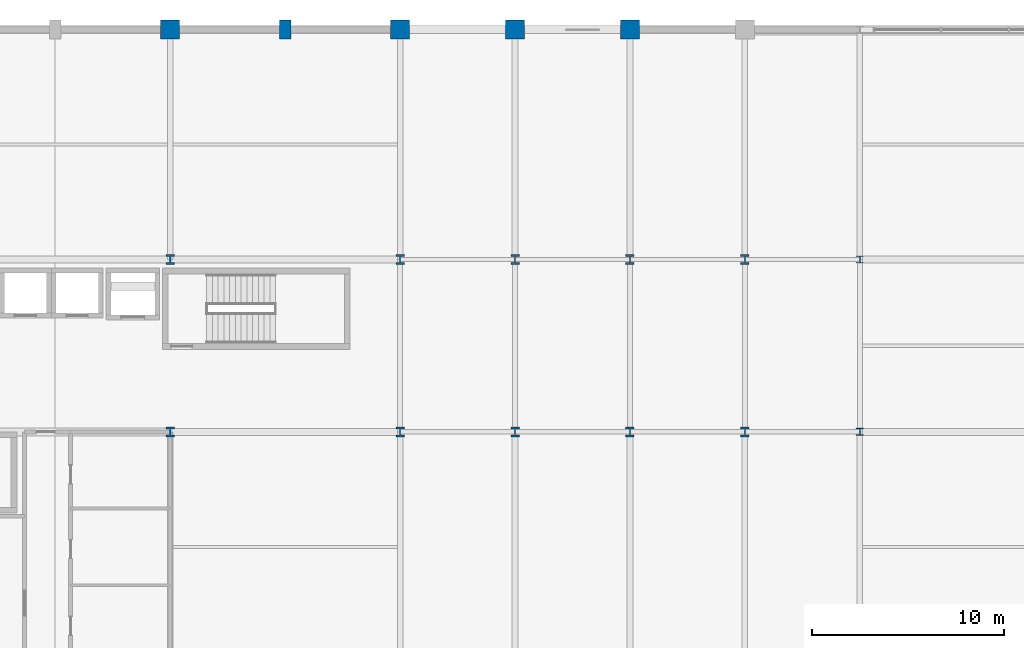
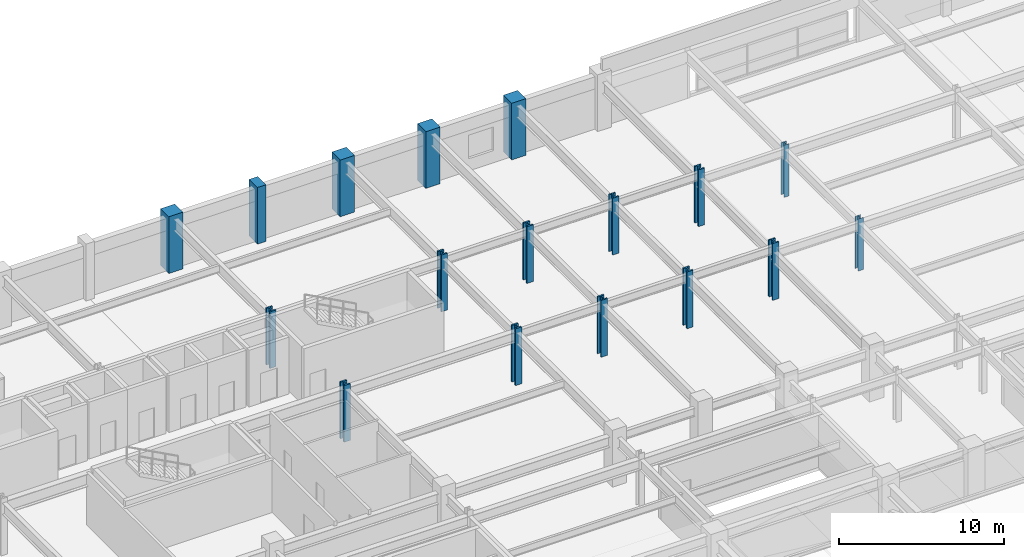
# One storey, part 13 of 108: 17 columns.
"""IFC4 building model written with IfcOpenShell, lengths in metres."""

from ifc_helpers import new_model, si_unit, direction, frame, origin, origin_2d, place, context, subcontext, project, spatial, rectangle, i_section, extrude, material, material_profile, profile_set, type_object, element, save


model = new_model("IFC4")

# Units and contexts
model_context = context("Model", 3, precision=1e-05, world=origin(), true_north=direction((0.0, 1.0)))
body_context = subcontext(model_context, "Body", "Model", "MODEL_VIEW")
ifc_project = project(units=[si_unit("LENGTHUNIT", "METRE"), si_unit("AREAUNIT", "SQUARE_METRE"), si_unit("VOLUMEUNIT", "CUBIC_METRE"), si_unit("PLANEANGLEUNIT", "RADIAN"), si_unit("MASSUNIT", "GRAM", prefix="KILO")], contexts=[model_context])

# Site, building, storey
site_placement = place(None, origin())
site = spatial("IfcSite", under=ifc_project, at=site_placement, CompositionType="ELEMENT")
building_placement = place(site_placement, origin())
building = spatial("IfcBuilding", under=site, at=building_placement, Name="Kaldorvane Square Convention Centre", CompositionType="ELEMENT")
storey_placement = place(building_placement, frame((0.0, 0.0, 23.399993896484375)))
storey = spatial("IfcBuildingStorey", under=building, at=storey_placement, Name="L04", CompositionType="ELEMENT", Elevation=23.399993896484375)

# Columns
ifc_material_1 = material(Name="Concrete f'c = 55 MPa (Normalweight)", Category="concrete")
ifc_material_profile_1 = material_profile(ifc_material_1, rectangle(XDim=1.0, YDim=1.0, at=origin_2d()), Name="RC1000X1000")
ifc_profile_set_1 = profile_set([ifc_material_profile_1], Name="Concrete f'c = 55 MPa (Normalweight)")
column_type_1 = type_object("IfcColumnType", Name="COL-RC-1000", PredefinedType="COLUMN", material=ifc_profile_set_1)
for number, where, z_axis, x_axis, name in (
    (1, (66.0, 117.0, 0.0), (0.0, 0.0, 1.0), (1.0, 0.0, 0.0), "Column CC-02 (L04)"),
    (2, (78.0, 117.0, 0.0), (0.0, 0.0, 1.0), (1.0, 0.0, 0.0), "Column CC-02 (L04)"),
    (3, (84.0, 117.0, 0.0), (0.0, 0.0, 1.0), (1.0, 0.0, 0.0), "Column CC-02 (L04)"),
    (4, (90.0, 117.0, 0.0), (0.0, 0.0, 1.0), (1.0, 0.0, 0.0), "Column CC-02 (L04)"),
):
    element("IfcColumn", number, at=place(storey_placement, frame(where, z_axis=z_axis, x_axis=x_axis)), inside=storey, type_object=column_type_1, Name=name, PredefinedType="COLUMN", context=body_context, shape_type="SweptSolid", body=[
        extrude(rectangle(XDim=1.0, YDim=1.0, at=origin_2d()), origin(), (0.0, 0.0, 1.0), 4.20001220703125),
    ])
ifc_material_2 = material(Name="Steel ASTM A992 Gr. 50", Category="steel")
ifc_material_profile_2 = material_profile(ifc_material_2, i_section(OverallWidth=0.4420013427734375, OverallDepth=0.531402587890625, WebThickness=0.0657958984375, FlangeThickness=0.1056976318359375, FilletRadius=0.0305023193359375, at=origin_2d()), Name="W14X605")
ifc_profile_set_2 = profile_set([ifc_material_profile_2], Name="Steel ASTM A992 Gr. 50")
column_type_2 = type_object("IfcColumnType", Name="COL-STL-605", PredefinedType="COLUMN", material=ifc_profile_set_2)
for number, where, z_axis, x_axis, name in (
    (5, (66.0, 96.0, 0.0), (0.0, 0.0, 1.0), (1.0, 0.0, 0.0), "Column SC-02 (L04)"),
    (6, (66.0, 105.0, 0.0), (0.0, 0.0, 1.0), (1.0, 0.0, 0.0), "Column SC-02 (L04)"),
    (7, (78.0, 96.0, 0.0), (0.0, 0.0, 1.0), (1.0, 0.0, 0.0), "Column SC-02 (L04)"),
    (8, (78.0, 105.0, 0.0), (0.0, 0.0, 1.0), (1.0, 0.0, 0.0), "Column SC-02 (L04)"),
    (9, (84.0, 96.0, 0.0), (0.0, 0.0, 1.0), (1.0, 0.0, 0.0), "Column SC-02 (L04)"),
    (10, (84.0, 105.0, 0.0), (0.0, 0.0, 1.0), (1.0, 0.0, 0.0), "Column SC-02 (L04)"),
    (11, (90.0, 96.0, 0.0), (0.0, 0.0, 1.0), (1.0, 0.0, 0.0), "Column SC-02 (L04)"),
    (12, (90.0, 105.0, 0.0), (0.0, 0.0, 1.0), (1.0, 0.0, 0.0), "Column SC-02 (L04)"),
    (13, (96.0, 96.0, 0.0), (0.0, 0.0, 1.0), (1.0, 0.0, 0.0), "Column SC-02 (L04)"),
    (14, (96.0, 105.0, 0.0), (0.0, 0.0, 1.0), (1.0, 0.0, 0.0), "Column SC-02 (L04)"),
):
    element("IfcColumn", number, at=place(storey_placement, frame(where, z_axis=z_axis, x_axis=x_axis)), inside=storey, type_object=column_type_2, Name=name, PredefinedType="COLUMN", context=body_context, shape_type="SweptSolid", body=[
        extrude(i_section(OverallWidth=0.4420013427734375, OverallDepth=0.531402587890625, WebThickness=0.0657958984375, FlangeThickness=0.1056976318359375, FilletRadius=0.0305023193359375, at=origin_2d()), origin(), (0.0, 0.0, 1.0), 4.20001220703125),
    ])
ifc_material_profile_3 = material_profile(ifc_material_2, i_section(OverallWidth=0.3701019287109375, OverallDepth=0.360198974609375, WebThickness=0.012298583984375, FlangeThickness=0.019805908203125, FilletRadius=0.0305023193359375, at=origin_2d()), Name="W14X99")
ifc_profile_set_3 = profile_set([ifc_material_profile_3], Name="Steel ASTM A992 Gr. 50")
column_type_3 = type_object("IfcColumnType", Name="COL-STL-99", PredefinedType="COLUMN", material=ifc_profile_set_3)
for number, where, z_axis, x_axis, name in (
    (15, (102.0, 96.0, 0.0), (0.0, 0.0, 1.0), (1.0, 0.0, 0.0), "Column SC-12 (L04)"),
    (16, (102.0, 105.0, 0.0), (0.0, 0.0, 1.0), (1.0, 0.0, 0.0), "Column SC-12 (L04)"),
):
    element("IfcColumn", number, at=place(storey_placement, frame(where, z_axis=z_axis, x_axis=x_axis)), inside=storey, type_object=column_type_3, Name=name, PredefinedType="COLUMN", context=body_context, shape_type="SweptSolid", body=[
        extrude(i_section(OverallWidth=0.3701019287109375, OverallDepth=0.360198974609375, WebThickness=0.012298583984375, FlangeThickness=0.019805908203125, FilletRadius=0.0305023193359375, at=origin_2d()), origin(), (0.0, 0.0, 1.0), 3.850006103515625),
    ])
ifc_material_profile_4 = material_profile(ifc_material_1, rectangle(XDim=0.600006103515625, YDim=1.0, at=origin_2d()), Name="PIL1000X600")
ifc_profile_set_4 = profile_set([ifc_material_profile_4], Name="Concrete f'c = 55 MPa (Normalweight)")
column_type_4 = type_object("IfcColumnType", Name="PIL-BRUT-1000", PredefinedType="PILASTER", material=ifc_profile_set_4)
column_placement = place(storey_placement, frame((72.0, 117.0, 0.0), z_axis=(0.0, 0.0, 1.0), x_axis=(1.0, 0.0, 0.0)))
element("IfcColumn", 17, at=column_placement, inside=storey, type_object=column_type_4, Name="Brutalist Colonnade Pilaster (L04)", PredefinedType="PILASTER", context=body_context, shape_type="SweptSolid", body=[
    extrude(rectangle(XDim=0.600006103515625, YDim=1.0, at=origin_2d()), origin(), (0.0, 0.0, 1.0), 4.20001220703125),
])

save(model, "model.ifc")
